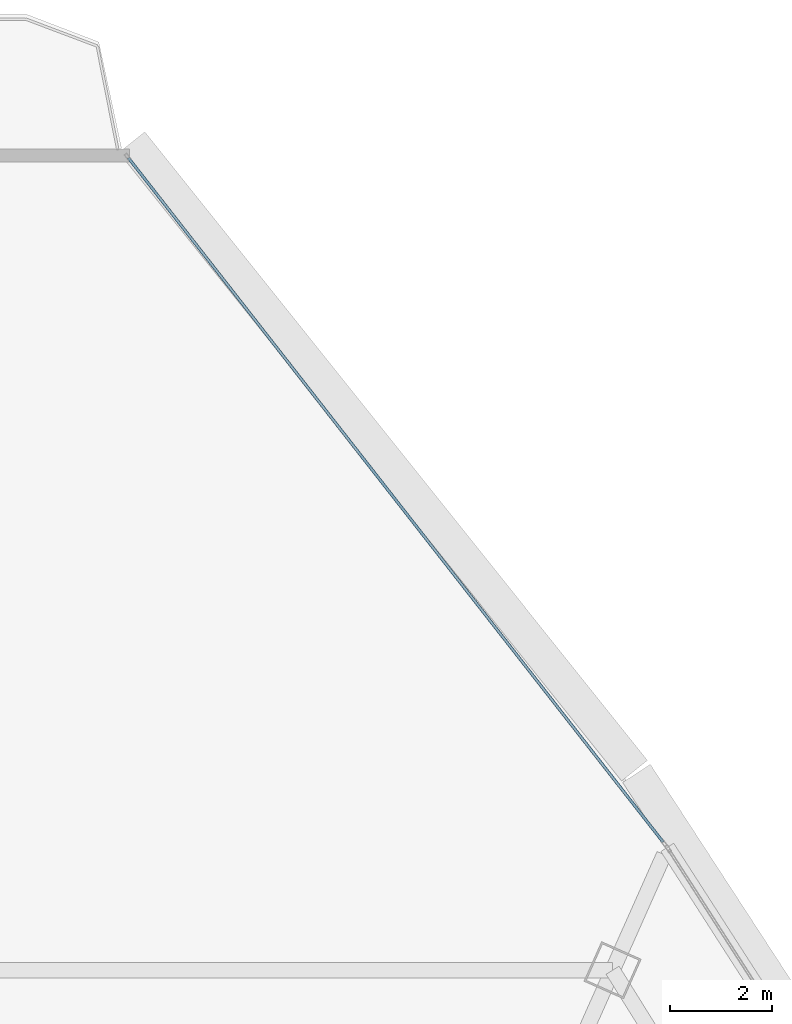
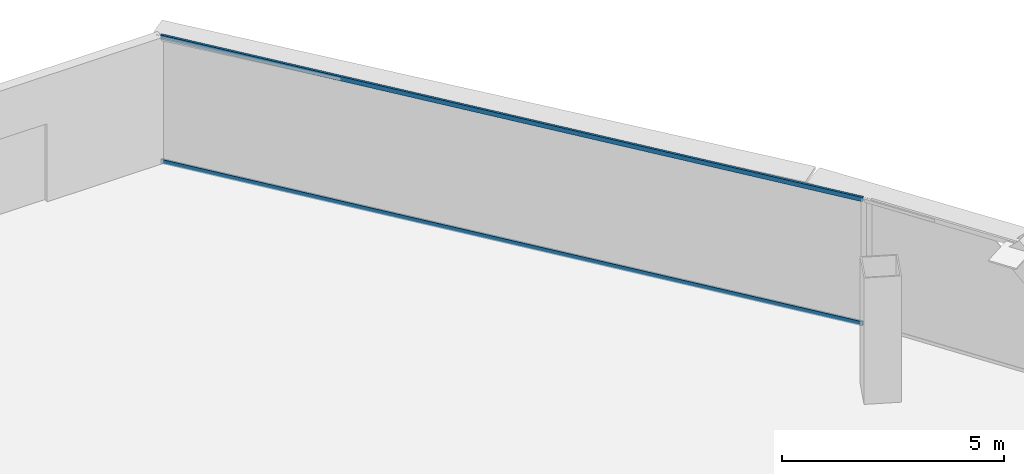
# One storey, part 24 of 36: 2 members, 1 element without a shape of its own.
"""IFC4 building model written with IfcOpenShell, lengths in metres."""

from ifc_helpers import new_model, si_unit, direction, frame, origin, origin_2d, place, context, subcontext, project, spatial, hollow_rectangle, extrude, source, transform, mapped, material, layer, layer_set, material_profile, profile_set, type_object, element, aggregate, save


model = new_model("IFC4")

# Units and contexts
model_context = context("Model", 3, precision=1e-05, world=origin(), true_north=direction((0.0, 1.0)))
body_context = subcontext(model_context, "Body", "Model", "MODEL_VIEW")
ifc_project = project(units=[si_unit("LENGTHUNIT", "METRE"), si_unit("AREAUNIT", "SQUARE_METRE"), si_unit("VOLUMEUNIT", "CUBIC_METRE"), si_unit("PLANEANGLEUNIT", "RADIAN"), si_unit("MASSUNIT", "GRAM", prefix="KILO"), si_unit("THERMODYNAMICTEMPERATUREUNIT", "KELVIN"), si_unit("POWERUNIT", "WATT")], contexts=[model_context])

# Site, building, storey
site_placement = place(None, origin())
site = spatial("IfcSite", under=ifc_project, at=site_placement, CompositionType="ELEMENT")
building_placement = place(site_placement, origin())
building = spatial("IfcBuilding", under=site, at=building_placement, Name="Yunzhuo Pagoda Commons", CompositionType="ELEMENT")
storey_placement = place(building_placement, frame((0.0, 0.0, 248.260009765625)))
storey = spatial("IfcBuildingStorey", under=building, at=storey_placement, Name="L62", CompositionType="ELEMENT", Elevation=248.260009765625)

# Curtain wall, members
ifc_material = material(Name="Anodized aluminium 6063-T6", Category="aluminium")
ifc_layer = layer(ifc_material, 0.139892578125)
ifc_layer_set = layer_set([ifc_layer], Name="Anodized aluminium 6063-T6")
curtain_wall_type = type_object("IfcCurtainWallType", Name="CW-HI High-Zone Ribbon Curtain Wall", PredefinedType="NOTDEFINED", material=ifc_layer_set)
curtain_wall_placement = place(storey_placement, origin())
curtain_wall = element("IfcCurtainWall", 1, at=curtain_wall_placement, inside=storey, type_object=curtain_wall_type, Name="L62 curtain wall CW-L62-F2B5", PredefinedType="NOTDEFINED")
ifc_material_profile = material_profile(ifc_material, hollow_rectangle(XDim=0.054931640625, YDim=0.1201171875, WallThickness=0.00341796875, at=origin_2d()), Name="Anodized aluminium 6063-T6")
ifc_profile_set = profile_set([ifc_material_profile], Name="Anodized aluminium 6063-T6")
member_type = type_object("IfcMemberType", Name="CW-HI-T Transom RHS 120x55x3.5", PredefinedType="USERDEFINED", material=ifc_profile_set)
shared_shape = source(origin(), body_context, "Body", "SweptSolid", [
    extrude(hollow_rectangle(XDim=0.054931640625, YDim=0.1201171875, WallThickness=0.00341796875, at=origin_2d()), origin(), (0.0, 0.0, 1.0), 17.037109375),
])
member_1_placement = place(storey_placement, frame((62.39697265625, 66.328857421875, 0.027587890625), z_axis=(-0.615800034083, 0.787902480021, 0.0), x_axis=(-0.787902480021, -0.615800034083, 0.0)))
member_1 = element("IfcMember", 2, at=member_1_placement, type_object=member_type, Name="CW transom 1.1", ObjectType="TRANSOM", PredefinedType="USERDEFINED", context=body_context, shape_type="MappedRepresentation", body=[
    mapped(shared_shape, transform((0.0, 0.0, 0.0), scale=1.0)),
])
member_2_placement = place(storey_placement, frame((62.39697265625, 66.328857421875, 3.4423828125), z_axis=(-0.615800034083, 0.787902480021, 0.0), x_axis=(-0.787902480021, -0.615800034083, 0.0)))
member_2 = element("IfcMember", 3, at=member_2_placement, type_object=member_type, Name="CW transom 1.2", ObjectType="TRANSOM", PredefinedType="USERDEFINED", context=body_context, shape_type="MappedRepresentation", body=[
    mapped(shared_shape, transform((0.0, 0.0, 0.0), scale=1.0)),
])
aggregate(curtain_wall, [member_1, member_2])

save(model, "model.ifc")
